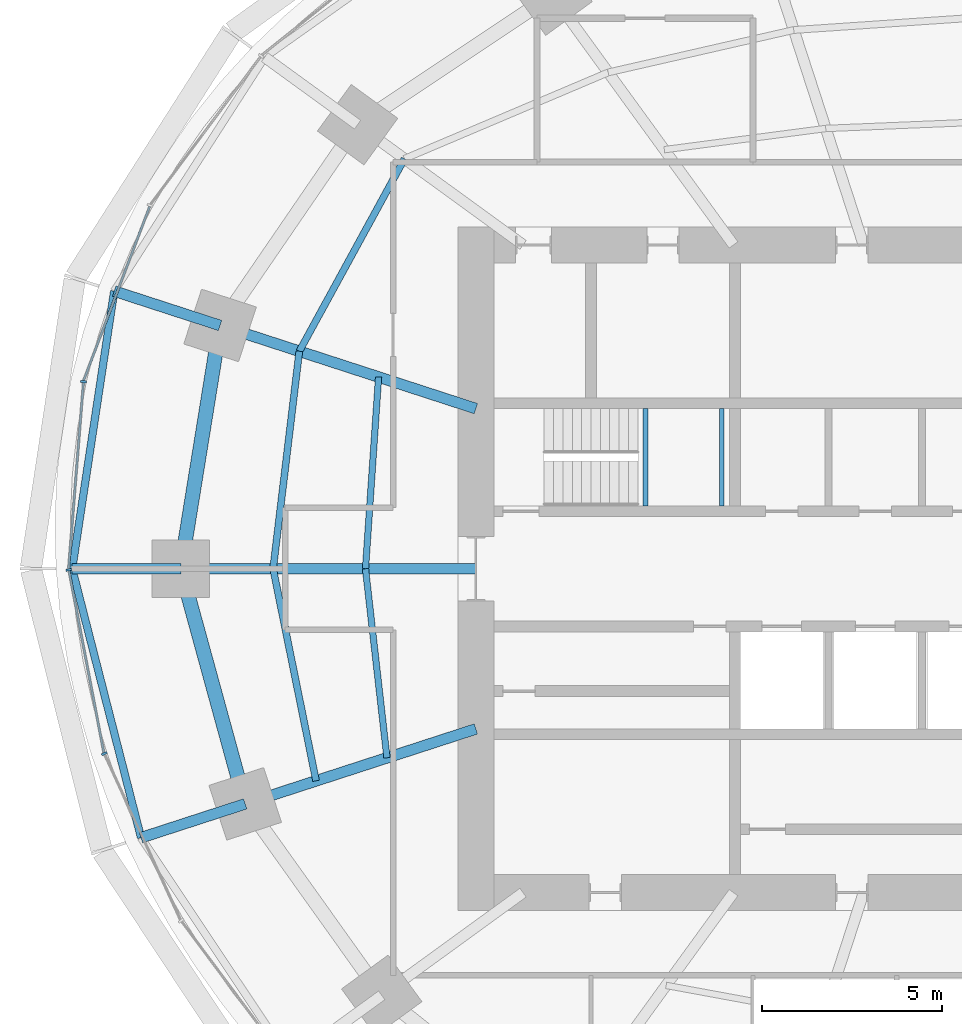
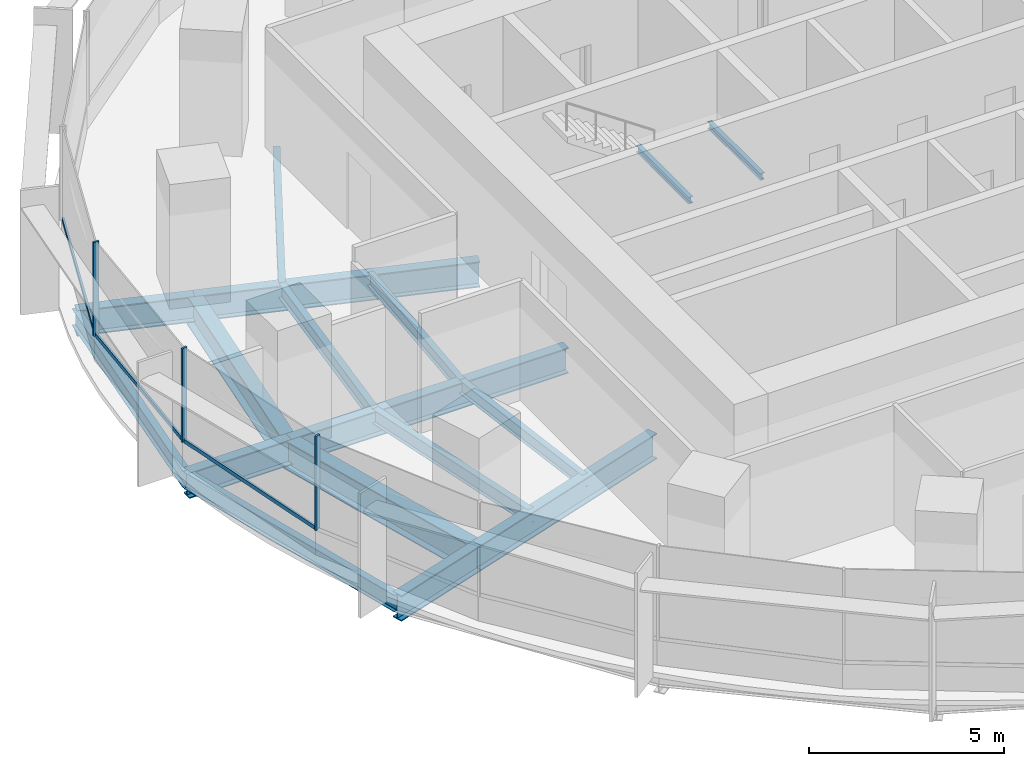
# One storey, part 4 of 14: 17 beams, 6 members, 2 elements without a shape of their own.
"""IFC4 building model written with IfcOpenShell, lengths in metres."""

from ifc_helpers import new_model, si_unit, direction, frame, origin, origin_2d, place, context, subcontext, project, spatial, rectangle, i_section, extrude, material, material_profile, profile_set, type_object, element, aggregate, save


model = new_model("IFC4")

# Units and contexts
model_context = context("Model", 3, precision=1e-05, world=origin(), true_north=direction((0.0, 1.0)))
body_context = subcontext(model_context, "Body", "Model", "MODEL_VIEW")
ifc_project = project(units=[si_unit("LENGTHUNIT", "METRE"), si_unit("AREAUNIT", "SQUARE_METRE"), si_unit("VOLUMEUNIT", "CUBIC_METRE"), si_unit("PLANEANGLEUNIT", "RADIAN"), si_unit("MASSUNIT", "GRAM", prefix="KILO")], contexts=[model_context])

# Site, building, storey
site_placement = place(None, origin())
site = spatial("IfcSite", under=ifc_project, at=site_placement, CompositionType="ELEMENT")
building_placement = place(site_placement, origin())
building = spatial("IfcBuilding", under=site, at=building_placement, Name="Marramba Exchange Tower", CompositionType="ELEMENT")
storey_placement = place(building_placement, frame((0.0, 0.0, 108.0)))
storey = spatial("IfcBuildingStorey", under=building, at=storey_placement, Name="L25", CompositionType="ELEMENT", Elevation=108.0)

# Beams
ifc_material_1 = material(Name="Steel AS/NZS 3679.2 grade 300", Category="steel")
ifc_material_profile_1 = material_profile(ifc_material_1, i_section(OverallWidth=0.300048828125, OverallDepth=0.800048828125, WebThickness=0.013916015625, FlangeThickness=0.031982421875, at=origin_2d()), Name="800WB192")
ifc_profile_set_1 = profile_set([ifc_material_profile_1], Name="Steel AS/NZS 3679.2 grade 300")
beam_type_1 = type_object("IfcBeamType", Name="Cantilever girder 800WB192", PredefinedType="BEAM", material=ifc_profile_set_1)
beam_1_placement = place(storey_placement, frame((-20.808349609375, 6.760986328125, -0.56005859375), z_axis=(-0.95104799017, 0.309043233858, 0.0), x_axis=(-0.309043233858, -0.95104799017, 0.0)))
element("IfcBeam", 1, at=beam_1_placement, inside=storey, type_object=beam_type_1, Name="Cantilever girder L25 TC10", PredefinedType="BEAM", context=body_context, shape_type="SweptSolid", body=[
    extrude(i_section(OverallWidth=0.300048828125, OverallDepth=0.800048828125, WebThickness=0.013916015625, FlangeThickness=0.031982421875, at=origin_2d()), origin(), (0.0, 0.0, 1.0), 3.0927734375),
])
beam_2_placement = place(storey_placement, frame((-21.89990234375, 0.0, -0.56005859375), z_axis=(-1.0, 0.0, 0.0), x_axis=(0.0, -1.0, 0.0)))
element("IfcBeam", 2, at=beam_2_placement, inside=storey, type_object=beam_type_1, Name="Cantilever girder L25 TC11", PredefinedType="BEAM", context=body_context, shape_type="SweptSolid", body=[
    extrude(i_section(OverallWidth=0.300048828125, OverallDepth=0.800048828125, WebThickness=0.013916015625, FlangeThickness=0.031982421875, at=origin_2d()), origin(), (0.0, 0.0, 1.0), 3.01806640625),
])
beam_3_placement = place(storey_placement, frame((-20.109375, -6.533935546875, -0.56005859375), z_axis=(-0.951070617775, -0.308973591113, 0.0), x_axis=(0.308973591113, -0.951070617775, 0.0)))
element("IfcBeam", 3, at=beam_3_placement, inside=storey, type_object=beam_type_1, Name="Cantilever girder L25 TC12", PredefinedType="BEAM", context=body_context, shape_type="SweptSolid", body=[
    extrude(i_section(OverallWidth=0.300048828125, OverallDepth=0.800048828125, WebThickness=0.013916015625, FlangeThickness=0.031982421875, at=origin_2d()), origin(), (0.0, 0.0, 1.0), 3.04296875),
])
ifc_material_2 = material(Name="Steel AS/NZS 3679.1 grade 300", Category="steel")
ifc_material_profile_2 = material_profile(ifc_material_2, i_section(OverallWidth=0.177978515625, OverallDepth=0.406005859375, WebThickness=0.0078125, FlangeThickness=0.0126953125, FilletRadius=0.011474609375, at=origin_2d()), Name="410UB59.7")
ifc_profile_set_2 = profile_set([ifc_material_profile_2], Name="Steel AS/NZS 3679.1 grade 300")
beam_type_2 = type_object("IfcBeamType", Name="Floor joist 410UB59.7", PredefinedType="JOIST", material=ifc_profile_set_2)
beam_4_placement = place(storey_placement, frame((-16.40283203125, 5.32958984375, -0.363037109375), z_axis=(-0.068096259546, -0.99767875563, 0.0), x_axis=(0.99767875563, -0.068096259546, 0.0)))
element("IfcBeam", 4, at=beam_4_placement, inside=storey, type_object=beam_type_2, Name="Joist L25 bay 10 row 1", PredefinedType="JOIST", context=body_context, shape_type="SweptSolid", body=[
    extrude(i_section(OverallWidth=0.177978515625, OverallDepth=0.406005859375, WebThickness=0.0078125, FlangeThickness=0.0126953125, FilletRadius=0.011474609375, at=origin_2d()), origin(), (0.0, 0.0, 1.0), 5.342041015625),
])
beam_5_placement = place(storey_placement, frame((-16.7666015625, 0.0, -0.363037109375), z_axis=(0.112888968594, -0.993607609054, 0.0), x_axis=(0.993607609054, 0.112888968594, 0.0)))
element("IfcBeam", 5, at=beam_5_placement, inside=storey, type_object=beam_type_2, Name="Joist L25 bay 11 row 1", PredefinedType="JOIST", context=body_context, shape_type="SweptSolid", body=[
    extrude(i_section(OverallWidth=0.177978515625, OverallDepth=0.406005859375, WebThickness=0.0078125, FlangeThickness=0.0126953125, FilletRadius=0.011474609375, at=origin_2d()), origin(), (0.0, 0.0, 1.0), 5.28759765625),
])
ifc_material_profile_3 = material_profile(ifc_material_2, i_section(OverallWidth=0.18994140625, OverallDepth=0.4541015625, WebThickness=0.008544921875, FlangeThickness=0.0126953125, FilletRadius=0.011474609375, at=origin_2d()), Name="460UB67.1")
ifc_profile_set_3 = profile_set([ifc_material_profile_3], Name="Steel AS/NZS 3679.1 grade 300")
beam_type_3 = type_object("IfcBeamType", Name="Floor joist 460UB67.1", PredefinedType="JOIST", material=ifc_profile_set_3)
beam_6_placement = place(storey_placement, frame((-15.682373046875, 11.393798828125, -0.386962890625), z_axis=(-0.479584443791, -0.877495732909, 0.0), x_axis=(0.877495732909, -0.479584443791, 0.0)))
element("IfcBeam", 6, at=beam_6_placement, inside=storey, type_object=beam_type_3, Name="Joist L25 bay 09 row 2", PredefinedType="JOIST", context=body_context, shape_type="SweptSolid", body=[
    extrude(i_section(OverallWidth=0.18994140625, OverallDepth=0.4541015625, WebThickness=0.008544921875, FlangeThickness=0.0126953125, FilletRadius=0.011474609375, at=origin_2d()), origin(), (0.0, 0.0, 1.0), 6.094970703125),
])
beam_7_placement = place(storey_placement, frame((-18.60546875, 6.04541015625, -0.386962890625), z_axis=(-0.119523078538, -0.992831422597, 0.0), x_axis=(0.992831422597, -0.119523078538, 0.0)))
element("IfcBeam", 7, at=beam_7_placement, inside=storey, type_object=beam_type_3, Name="Joist L25 bay 10 row 2", PredefinedType="JOIST", context=body_context, shape_type="SweptSolid", body=[
    extrude(i_section(OverallWidth=0.18994140625, OverallDepth=0.4541015625, WebThickness=0.008544921875, FlangeThickness=0.0126953125, FilletRadius=0.011474609375, at=origin_2d()), origin(), (0.0, 0.0, 1.0), 6.089111328125),
])
beam_8_placement = place(storey_placement, frame((-19.333251953125, 0.0, -0.386962890625), z_axis=(0.198489047047, -0.980103105904, 0.0), x_axis=(0.980103105904, 0.198489047047, 0.0)))
element("IfcBeam", 8, at=beam_8_placement, inside=storey, type_object=beam_type_3, Name="Joist L25 bay 11 row 2", PredefinedType="JOIST", context=body_context, shape_type="SweptSolid", body=[
    extrude(i_section(OverallWidth=0.18994140625, OverallDepth=0.4541015625, WebThickness=0.008544921875, FlangeThickness=0.0126953125, FilletRadius=0.011474609375, at=origin_2d()), origin(), (0.0, 0.0, 1.0), 6.013427734375),
])

# Curtain wall, member
ifc_material_3 = material(Name="Aluminium framing, bronze anodised", Category="aluminium")
curtain_wall_type = type_object("IfcCurtainWallType", Name="Office ribbon curtain wall", PredefinedType="USERDEFINED", material=ifc_material_3)
curtain_wall_1_placement = place(storey_placement, origin())
curtain_wall_1 = element("IfcCurtainWall", 9, at=curtain_wall_1_placement, inside=storey, type_object=curtain_wall_type, Name="Curtain wall CW4 L25 F11-F15", ObjectType="RIBBON CURTAIN WALL", PredefinedType="USERDEFINED")
ifc_material_4 = material(Name="Aluminium mullion, bronze anodised", Category="aluminium")
ifc_material_profile_4 = material_profile(ifc_material_4, rectangle(XDim=0.159912109375, YDim=0.06005859375, at=origin_2d()), Name="CW4 mullion 60x160")
ifc_profile_set_4 = profile_set([ifc_material_profile_4], Name="Aluminium mullion, bronze anodised")
member_type_1 = type_object("IfcMemberType", Name="Office ribbon curtain wall mullion", PredefinedType="MULLION", material=ifc_profile_set_4)
member_1_placement = place(storey_placement, frame((-24.603515625, 5.19921875, 0.800048828125), z_axis=(0.0, 0.0, 1.0), x_axis=(0.996838079455, -0.079459696383, 0.0)))
member_1 = element("IfcMember", 10, at=member_1_placement, type_object=member_type_1, Name="CW4 mullion 1", PredefinedType="MULLION", context=body_context, shape_type="SweptSolid", body=[
    extrude(rectangle(XDim=0.159912109375, YDim=0.06005859375, at=origin_2d()), origin(), (0.0, 0.0, 1.0), 2.93994140625),
])

# Curtain wall, members
curtain_wall_2_placement = place(storey_placement, origin())
curtain_wall_2 = element("IfcCurtainWall", 11, at=curtain_wall_2_placement, inside=storey, type_object=curtain_wall_type, Name="Curtain wall CW4 L25 F16-F20", ObjectType="RIBBON CURTAIN WALL", PredefinedType="USERDEFINED")
member_2_placement = place(storey_placement, frame((-25.012451171875, -0.029541015625, 0.800048828125), z_axis=(0.0, 0.0, 1.0), x_axis=(0.982125509078, 0.18822721487, 0.0)))
member_2 = element("IfcMember", 12, at=member_2_placement, type_object=member_type_1, Name="CW4 mullion 1", PredefinedType="MULLION", context=body_context, shape_type="SweptSolid", body=[
    extrude(rectangle(XDim=0.159912109375, YDim=0.06005859375, at=origin_2d()), origin(), (0.0, 0.0, 1.0), 2.93994140625),
])
member_3_placement = place(storey_placement, frame((-24.026123046875, -5.136962890625, 0.800048828125), z_axis=(0.0, 0.0, 1.0), x_axis=(0.909026713177, 0.416737848929, 0.0)))
member_3 = element("IfcMember", 13, at=member_3_placement, type_object=member_type_1, Name="CW4 mullion 1", PredefinedType="MULLION", context=body_context, shape_type="SweptSolid", body=[
    extrude(rectangle(XDim=0.159912109375, YDim=0.06005859375, at=origin_2d()), origin(), (0.0, 0.0, 1.0), 2.93994140625),
])

# Member
ifc_material_5 = material(Name="Aluminium transom, bronze anodised", Category="aluminium")
ifc_material_profile_5 = material_profile(ifc_material_5, rectangle(XDim=0.06005859375, YDim=0.1201171875, at=origin_2d()), Name="CW4 transom 60x120")
ifc_profile_set_5 = profile_set([ifc_material_profile_5], Name="Aluminium transom, bronze anodised")
member_type_2 = type_object("IfcMemberType", Name="Office ribbon curtain wall transom", PredefinedType="USERDEFINED", material=ifc_profile_set_5)
member_4_placement = place(storey_placement, frame((-22.763916015625, 10.069580078125, 0.830078125), z_axis=(-0.354851822252, -0.934922555212, 0.0), x_axis=(0.934922555212, -0.354851822252, 0.0)))
member_4 = element("IfcMember", 14, at=member_4_placement, type_object=member_type_2, Name="CW4 sill transom", ObjectType="TRANSOM", PredefinedType="USERDEFINED", context=body_context, shape_type="SweptSolid", body=[
    extrude(rectangle(XDim=0.06005859375, YDim=0.1201171875, at=origin_2d()), origin(), (0.0, 0.0, 1.0), 5.17724609375),
])

member_5_placement = place(storey_placement, frame((-24.60595703125, 5.16943359375, 0.830078125), z_axis=(-0.07946828762, -0.996837394595, 0.0), x_axis=(0.996837394595, -0.07946828762, 0.0)))
member_5 = element("IfcMember", 15, at=member_5_placement, type_object=member_type_2, Name="CW4 sill transom", ObjectType="TRANSOM", PredefinedType="USERDEFINED", context=body_context, shape_type="SweptSolid", body=[
    extrude(rectangle(XDim=0.06005859375, YDim=0.1201171875, at=origin_2d()), origin(), (0.0, 0.0, 1.0), 5.185791015625),
])

aggregate(curtain_wall_1, [member_4, member_1, member_5])

member_6_placement = place(storey_placement, frame((-25.006591796875, -0.058837890625, 0.830078125), z_axis=(0.188185293992, -0.982133542409, 0.0), x_axis=(0.982133542409, 0.188185293992, 0.0)))
member_6 = element("IfcMember", 16, at=member_6_placement, type_object=member_type_2, Name="CW4 sill transom", ObjectType="TRANSOM", PredefinedType="USERDEFINED", context=body_context, shape_type="SweptSolid", body=[
    extrude(rectangle(XDim=0.06005859375, YDim=0.1201171875, at=origin_2d()), origin(), (0.0, 0.0, 1.0), 5.142578125),
])

aggregate(curtain_wall_2, [member_2, member_6, member_3])

# Beams
ifc_material_profile_6 = material_profile(ifc_material_1, i_section(OverallWidth=0.300048828125, OverallDepth=0.800048828125, WebThickness=0.013916015625, FlangeThickness=0.031982421875, at=origin_2d()), Name="800WB192")
ifc_profile_set_6 = profile_set([ifc_material_profile_6], Name="Steel AS/NZS 3679.2 grade 300")
beam_type_4 = type_object("IfcBeamType", Name="Radial girder 800WB192", PredefinedType="BEAM", material=ifc_profile_set_6)
beam_9_placement = place(storey_placement, frame((-13.699951171875, 4.451416015625, -0.56005859375), z_axis=(-0.951059990189, 0.309006302624, 0.0), x_axis=(-0.309006302624, -0.951059990189, 0.0)))
element("IfcBeam", 17, at=beam_9_placement, inside=storey, type_object=beam_type_4, Name="Radial girder L25 TC10", PredefinedType="BEAM", context=body_context, shape_type="SweptSolid", body=[
    extrude(i_section(OverallWidth=0.300048828125, OverallDepth=0.800048828125, WebThickness=0.013916015625, FlangeThickness=0.031982421875, at=origin_2d()), origin(), (0.0, 0.0, 1.0), 7.47412109375),
])
beam_10_placement = place(storey_placement, frame((-13.699951171875, 0.0, -0.56005859375), z_axis=(-1.0, 0.0, 0.0), x_axis=(0.0, -1.0, 0.0)))
element("IfcBeam", 18, at=beam_10_placement, inside=storey, type_object=beam_type_4, Name="Radial girder L25 TC11", PredefinedType="BEAM", context=body_context, shape_type="SweptSolid", body=[
    extrude(i_section(OverallWidth=0.300048828125, OverallDepth=0.800048828125, WebThickness=0.013916015625, FlangeThickness=0.031982421875, at=origin_2d()), origin(), (0.0, 0.0, 1.0), 8.199951171875),
])
beam_11_placement = place(storey_placement, frame((-13.699951171875, -4.451416015625, -0.56005859375), z_axis=(-0.951057759669, -0.309013167637, 0.0), x_axis=(0.309013167637, -0.951057759669, 0.0)))
element("IfcBeam", 19, at=beam_11_placement, inside=storey, type_object=beam_type_4, Name="Radial girder L25 TC12", PredefinedType="BEAM", context=body_context, shape_type="SweptSolid", body=[
    extrude(i_section(OverallWidth=0.300048828125, OverallDepth=0.800048828125, WebThickness=0.013916015625, FlangeThickness=0.031982421875, at=origin_2d()), origin(), (0.0, 0.0, 1.0), 6.7392578125),
])
ifc_material_profile_7 = material_profile(ifc_material_1, i_section(OverallWidth=0.39990234375, OverallDepth=0.89990234375, WebThickness=0.01611328125, FlangeThickness=0.031982421875, at=origin_2d()), Name="900WB282")
ifc_profile_set_7 = profile_set([ifc_material_profile_7], Name="Steel AS/NZS 3679.2 grade 300")
beam_type_5 = type_object("IfcBeamType", Name="Ring beam 900WB282", PredefinedType="SPANDREL", material=ifc_profile_set_7)
beam_12_placement = place(storey_placement, frame((-20.808349609375, 6.760986328125, -0.610107421875), z_axis=(-0.159384865399, -0.987216523708, 0.0), x_axis=(0.987216523708, -0.159384865399, 0.0)))
element("IfcBeam", 20, at=beam_12_placement, inside=storey, type_object=beam_type_5, Name="Ring beam L25 TC10-TC11", PredefinedType="SPANDREL", context=body_context, shape_type="SweptSolid", body=[
    extrude(i_section(OverallWidth=0.39990234375, OverallDepth=0.89990234375, WebThickness=0.01611328125, FlangeThickness=0.031982421875, at=origin_2d()), origin(), (0.0, 0.0, 1.0), 6.8486328125),
])
beam_13_placement = place(storey_placement, frame((-21.89990234375, 0.0, -0.610107421875), z_axis=(0.264291166956, -0.964442937176, 0.0), x_axis=(0.964442937176, 0.264291166956, 0.0)))
element("IfcBeam", 21, at=beam_13_placement, inside=storey, type_object=beam_type_5, Name="Ring beam L25 TC11-TC12", PredefinedType="SPANDREL", context=body_context, shape_type="SweptSolid", body=[
    extrude(i_section(OverallWidth=0.39990234375, OverallDepth=0.89990234375, WebThickness=0.01611328125, FlangeThickness=0.031982421875, at=origin_2d()), origin(), (0.0, 0.0, 1.0), 6.77490234375),
])
ifc_material_profile_8 = material_profile(ifc_material_2, i_section(OverallWidth=0.208984375, OverallDepth=0.528076171875, WebThickness=0.009521484375, FlangeThickness=0.01318359375, FilletRadius=0.013916015625, at=origin_2d()), Name="530UB82.0")
ifc_profile_set_8 = profile_set([ifc_material_profile_8], Name="Steel AS/NZS 3679.1 grade 300")
beam_type_6 = type_object("IfcBeamType", Name="Slab edge beam 530UB82.0", PredefinedType="SPANDREL", material=ifc_profile_set_8)
beam_14_placement = place(storey_placement, frame((-23.749755859375, 7.716796875, -0.424072265625), z_axis=(-0.149680281727, -0.988734450326, 0.0), x_axis=(0.988734450326, -0.149680281727, 0.0)))
element("IfcBeam", 22, at=beam_14_placement, inside=storey, type_object=beam_type_6, Name="Slab edge beam L25 TC10-TC11", PredefinedType="SPANDREL", context=body_context, shape_type="SweptSolid", body=[
    extrude(i_section(OverallWidth=0.208984375, OverallDepth=0.528076171875, WebThickness=0.009521484375, FlangeThickness=0.01318359375, FilletRadius=0.013916015625, at=origin_2d()), origin(), (0.0, 0.0, 1.0), 7.8046875),
])
beam_15_placement = place(storey_placement, frame((-24.91796875, 0.0, -0.424072265625), z_axis=(0.248145427917, -0.968722791413, 0.0), x_axis=(0.968722791413, 0.248145427917, 0.0)))
element("IfcBeam", 23, at=beam_15_placement, inside=storey, type_object=beam_type_6, Name="Slab edge beam L25 TC11-TC12", PredefinedType="SPANDREL", context=body_context, shape_type="SweptSolid", body=[
    extrude(i_section(OverallWidth=0.208984375, OverallDepth=0.528076171875, WebThickness=0.009521484375, FlangeThickness=0.01318359375, FilletRadius=0.013916015625, at=origin_2d()), origin(), (0.0, 0.0, 1.0), 7.71533203125),
])
ifc_material_profile_9 = material_profile(ifc_material_2, i_section(OverallWidth=0.133056640625, OverallDepth=0.202880859375, WebThickness=0.005859375, FlangeThickness=0.0078125, FilletRadius=0.0087890625, at=origin_2d()), Name="200UB25.4")
ifc_profile_set_9 = profile_set([ifc_material_profile_9], Name="Steel AS/NZS 3679.1 grade 300")
beam_type_7 = type_object("IfcBeamType", Name="Stair landing beam 200UB25.4", PredefinedType="BEAM", material=ifc_profile_set_9)
for number, where, z_axis, x_axis, name in (
    (24, (-8.9833984375, 1.75, 1.6484375), (0.0, 1.0, 0.0), (-1.0, 0.0, 0.0), "Stair landing beam SLB1 ST1 L25 1"),
    (25, (-6.866455078125, 1.75, 1.6484375), (0.0, 1.0, 0.0), (-1.0, 0.0, 0.0), "Stair landing beam SLB1 ST1 L25 2"),
):
    element("IfcBeam", number, at=place(storey_placement, frame(where, z_axis=z_axis, x_axis=x_axis)), inside=storey, type_object=beam_type_7, Name=name, PredefinedType="BEAM", context=body_context, shape_type="SweptSolid", body=[
        extrude(i_section(OverallWidth=0.133056640625, OverallDepth=0.202880859375, WebThickness=0.005859375, FlangeThickness=0.0078125, FilletRadius=0.0087890625, at=origin_2d()), origin(), (0.0, 0.0, 1.0), 2.699951171875),
    ])

save(model, "model.ifc")
